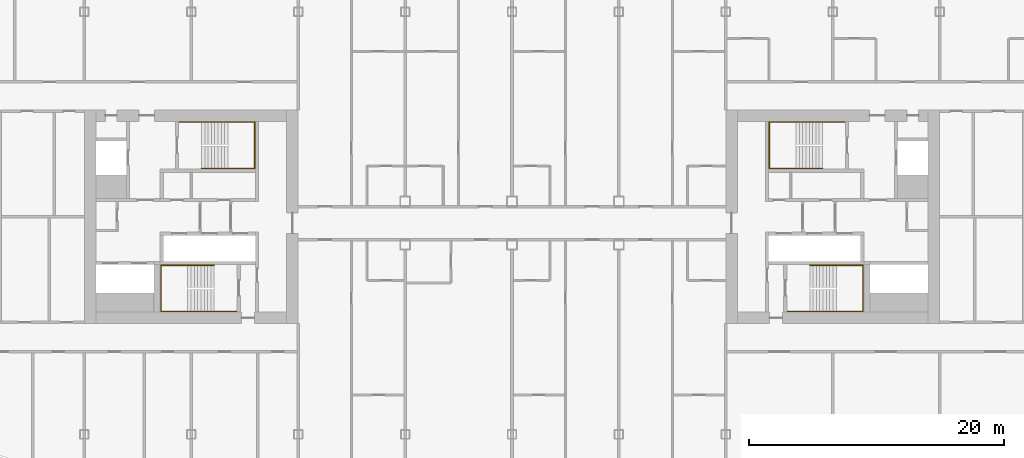
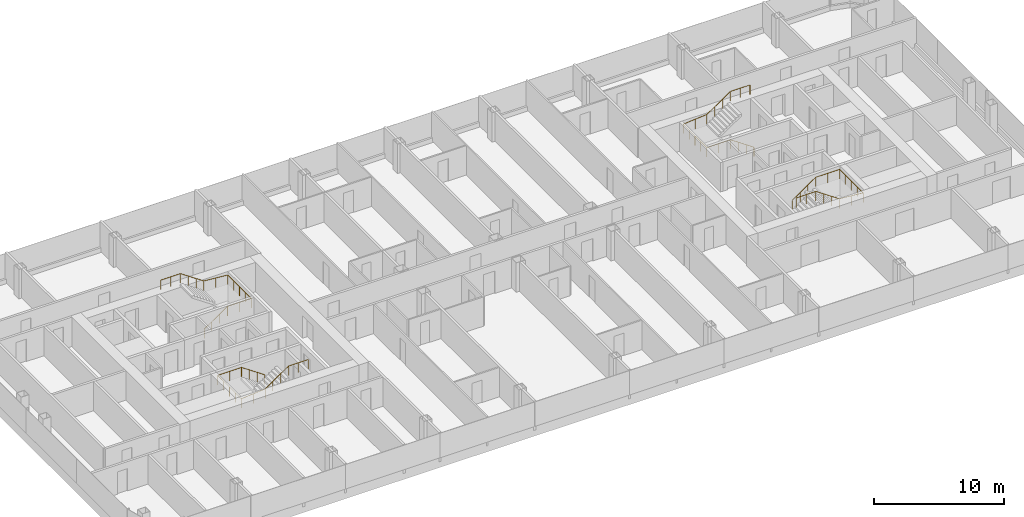
# One storey, part 26 of 26: 4 railings.
"""IFC4 building model written with IfcOpenShell, lengths in metres."""

from ifc_helpers import new_model, si_unit, direction, frame, origin, origin_2d, place, context, subcontext, project, spatial, circle, extrude, material, type_object, element, save


model = new_model("IFC4")

# Units and contexts
model_context = context("Model", 3, precision=1e-05, world=origin(), true_north=direction((0.0, 1.0)))
body_context = subcontext(model_context, "Body", "Model", "MODEL_VIEW")
ifc_project = project(units=[si_unit("LENGTHUNIT", "METRE"), si_unit("AREAUNIT", "SQUARE_METRE"), si_unit("VOLUMEUNIT", "CUBIC_METRE"), si_unit("PLANEANGLEUNIT", "RADIAN"), si_unit("MASSUNIT", "GRAM", prefix="KILO")], contexts=[model_context])

# Site, building, storey
site_placement = place(None, origin())
site = spatial("IfcSite", under=ifc_project, at=site_placement, CompositionType="ELEMENT")
building_placement = place(site_placement, origin())
building = spatial("IfcBuilding", under=site, at=building_placement, Name="Hakoniwa Tower and Hamabe Station Hall", CompositionType="ELEMENT")
storey_placement = place(building_placement, frame((0.0, 0.0, 143.800048828125)))
storey = spatial("IfcBuildingStorey", under=building, at=storey_placement, Name="L40", CompositionType="ELEMENT", Elevation=143.800048828125)

# Railings
ifc_material = material(Name="Stainless steel SUS304", Category="steel")
railing_type = type_object("IfcRailingType", Name="STAIR HANDRAIL 900", PredefinedType="HANDRAIL", material=ifc_material)
railing_1_placement = place(storey_placement, frame((-24.39990234375, 3.81005859375, 0.177734375)))
element("IfcRailing", 1, at=railing_1_placement, inside=storey, type_object=railing_type, Name="Handrail ST-1 L40 1", PredefinedType="HANDRAIL", context=body_context, shape_type="SweptSolid", body=[
    extrude(circle(Radius=0.02392578125, at=origin_2d()), frame((0.0, 0.0, 0.8759765625), z_axis=(0.825478349766, 0.0, 0.564433781827), x_axis=(0.0, 1.0, 0.0)), (0.0, 0.0, 1.0), 2.51953125),
    extrude(circle(Radius=0.02392578125, at=origin_2d()), frame((2.079833984375, 0.0, 2.2978515625), z_axis=(1.0, 0.0, 0.0), x_axis=(0.0, 1.0, 0.0)), (0.0, 0.0, 1.0), 2.110107421875),
    extrude(circle(Radius=0.02392578125, at=origin_2d()), frame((4.18994140625, 0.0, 2.2978515625), z_axis=(0.0, 1.0, 0.0), x_axis=(-1.0, 0.0, 0.0)), (0.0, 0.0, 1.0), 3.6298828125),
    extrude(circle(Radius=0.02392578125, at=origin_2d()), frame((4.18994140625, 3.6298828125, 2.2978515625), z_axis=(-0.996461767938, 0.0, 0.084047278587), x_axis=(0.0, -1.0, 0.0)), (0.0, 0.0, 1.0), 2.11767578125),
    extrude(circle(Radius=0.02392578125, at=origin_2d()), frame((2.079833984375, 3.6298828125, 2.47607421875), z_axis=(-0.825478349766, 0.0, 0.564433781827), x_axis=(0.0, -1.0, 0.0)), (0.0, 0.0, 1.0), 2.51953125),
    extrude(circle(Radius=0.02392578125, at=origin_2d()), frame((0.0, 3.6298828125, 3.89794921875), z_axis=(-1.0, 0.0, 0.0), x_axis=(0.0, -1.0, 0.0)), (0.0, 0.0, 1.0), 1.739990234375),
    extrude(circle(Radius=0.02099609375, at=origin_2d()), origin(), (0.0, 0.0, 1.0), 0.851806640625),
    extrude(circle(Radius=0.02099609375, at=origin_2d()), frame((0.693359375, 0.0, 0.47412109375)), (0.0, 0.0, 1.0), 0.851806640625),
    extrude(circle(Radius=0.02099609375, at=origin_2d()), frame((1.386474609375, 0.0, 0.947998046875)), (0.0, 0.0, 1.0), 0.851806640625),
    extrude(circle(Radius=0.02099609375, at=origin_2d()), frame((2.079833984375, 0.0, 1.422119140625)), (0.0, 0.0, 1.0), 0.851806640625),
    extrude(circle(Radius=0.02099609375, at=origin_2d()), frame((3.134765625, 0.0, 1.422119140625)), (0.0, 0.0, 1.0), 0.851806640625),
    extrude(circle(Radius=0.02099609375, at=origin_2d()), frame((4.18994140625, 0.0, 1.422119140625)), (0.0, 0.0, 1.0), 0.851806640625),
    extrude(circle(Radius=0.02099609375, at=origin_2d()), frame((4.18994140625, 0.907470703125, 1.422119140625)), (0.0, 0.0, 1.0), 0.851806640625),
    extrude(circle(Radius=0.02099609375, at=origin_2d()), frame((4.18994140625, 1.81494140625, 1.422119140625)), (0.0, 0.0, 1.0), 0.851806640625),
    extrude(circle(Radius=0.02099609375, at=origin_2d()), frame((4.18994140625, 2.722412109375, 1.422119140625)), (0.0, 0.0, 1.0), 0.851806640625),
    extrude(circle(Radius=0.02099609375, at=origin_2d()), frame((4.18994140625, 3.6298828125, 1.422119140625)), (0.0, 0.0, 1.0), 0.851806640625),
    extrude(circle(Radius=0.02099609375, at=origin_2d()), frame((3.134765625, 3.6298828125, 1.51123046875)), (0.0, 0.0, 1.0), 0.851806640625),
    extrude(circle(Radius=0.02099609375, at=origin_2d()), frame((2.079833984375, 3.6298828125, 1.60009765625)), (0.0, 0.0, 1.0), 0.851806640625),
    extrude(circle(Radius=0.02099609375, at=origin_2d()), frame((1.386474609375, 3.6298828125, 2.07421875)), (0.0, 0.0, 1.0), 0.851806640625),
    extrude(circle(Radius=0.02099609375, at=origin_2d()), frame((0.693359375, 3.6298828125, 2.548095703125)), (0.0, 0.0, 1.0), 0.851806640625),
    extrude(circle(Radius=0.02099609375, at=origin_2d()), frame((0.0, 3.6298828125, 3.022216796875)), (0.0, 0.0, 1.0), 0.851806640625),
    extrude(circle(Radius=0.02099609375, at=origin_2d()), frame((-0.8701171875, 3.6298828125, 3.022216796875)), (0.0, 0.0, 1.0), 0.851806640625),
    extrude(circle(Radius=0.02099609375, at=origin_2d()), frame((-1.739990234375, 3.6298828125, 3.022216796875)), (0.0, 0.0, 1.0), 0.851806640625),
])
railing_2_placement = place(storey_placement, frame((-23.39990234375, -3.81005859375, 0.177734375)))
element("IfcRailing", 2, at=railing_2_placement, inside=storey, type_object=railing_type, Name="Handrail ST-2 L40 1", PredefinedType="HANDRAIL", context=body_context, shape_type="SweptSolid", body=[
    extrude(circle(Radius=0.02392578125, at=origin_2d()), frame((0.0, 0.0, 0.8759765625), z_axis=(-0.82550921652, 0.0, 0.564388636881), x_axis=(0.0, -1.0, 0.0)), (0.0, 0.0, 1.0), 2.519775390625),
    extrude(circle(Radius=0.02392578125, at=origin_2d()), frame((-2.080078125, 0.0, 2.2978515625), z_axis=(-1.0, 0.0, 0.0), x_axis=(0.0, -1.0, 0.0)), (0.0, 0.0, 1.0), 2.110107421875),
    extrude(circle(Radius=0.02392578125, at=origin_2d()), frame((-4.190185546875, 0.0, 2.2978515625), z_axis=(0.0, -1.0, 0.0), x_axis=(1.0, 0.0, 0.0)), (0.0, 0.0, 1.0), 3.6298828125),
    extrude(circle(Radius=0.02392578125, at=origin_2d()), frame((-4.190185546875, -3.6298828125, 2.2978515625), z_axis=(0.996461767938, 0.0, 0.084047278587), x_axis=(0.0, 1.0, 0.0)), (0.0, 0.0, 1.0), 2.11767578125),
    extrude(circle(Radius=0.02392578125, at=origin_2d()), frame((-2.080078125, -3.6298828125, 2.47607421875), z_axis=(0.82550921652, 0.0, 0.564388636881), x_axis=(0.0, 1.0, 0.0)), (0.0, 0.0, 1.0), 2.519775390625),
    extrude(circle(Radius=0.02392578125, at=origin_2d()), frame((0.0, -3.6298828125, 3.89794921875), z_axis=(1.0, 0.0, 0.0), x_axis=(0.0, 1.0, 0.0)), (0.0, 0.0, 1.0), 1.739990234375),
    extrude(circle(Radius=0.02099609375, at=origin_2d()), origin(), (0.0, 0.0, 1.0), 0.851806640625),
    extrude(circle(Radius=0.02099609375, at=origin_2d()), frame((-0.693359375, 0.0, 0.47412109375)), (0.0, 0.0, 1.0), 0.851806640625),
    extrude(circle(Radius=0.02099609375, at=origin_2d()), frame((-1.38671875, 0.0, 0.947998046875)), (0.0, 0.0, 1.0), 0.851806640625),
    extrude(circle(Radius=0.02099609375, at=origin_2d()), frame((-2.080078125, 0.0, 1.422119140625)), (0.0, 0.0, 1.0), 0.851806640625),
    extrude(circle(Radius=0.02099609375, at=origin_2d()), frame((-3.13525390625, 0.0, 1.422119140625)), (0.0, 0.0, 1.0), 0.851806640625),
    extrude(circle(Radius=0.02099609375, at=origin_2d()), frame((-4.190185546875, 0.0, 1.422119140625)), (0.0, 0.0, 1.0), 0.851806640625),
    extrude(circle(Radius=0.02099609375, at=origin_2d()), frame((-4.190185546875, -0.907470703125, 1.422119140625)), (0.0, 0.0, 1.0), 0.851806640625),
    extrude(circle(Radius=0.02099609375, at=origin_2d()), frame((-4.190185546875, -1.81494140625, 1.422119140625)), (0.0, 0.0, 1.0), 0.851806640625),
    extrude(circle(Radius=0.02099609375, at=origin_2d()), frame((-4.190185546875, -2.722412109375, 1.422119140625)), (0.0, 0.0, 1.0), 0.851806640625),
    extrude(circle(Radius=0.02099609375, at=origin_2d()), frame((-4.190185546875, -3.6298828125, 1.422119140625)), (0.0, 0.0, 1.0), 0.851806640625),
    extrude(circle(Radius=0.02099609375, at=origin_2d()), frame((-3.13525390625, -3.6298828125, 1.51123046875)), (0.0, 0.0, 1.0), 0.851806640625),
    extrude(circle(Radius=0.02099609375, at=origin_2d()), frame((-2.080078125, -3.6298828125, 1.60009765625)), (0.0, 0.0, 1.0), 0.851806640625),
    extrude(circle(Radius=0.02099609375, at=origin_2d()), frame((-1.38671875, -3.6298828125, 2.07421875)), (0.0, 0.0, 1.0), 0.851806640625),
    extrude(circle(Radius=0.02099609375, at=origin_2d()), frame((-0.693359375, -3.6298828125, 2.548095703125)), (0.0, 0.0, 1.0), 0.851806640625),
    extrude(circle(Radius=0.02099609375, at=origin_2d()), frame((0.0, -3.6298828125, 3.022216796875)), (0.0, 0.0, 1.0), 0.851806640625),
    extrude(circle(Radius=0.02099609375, at=origin_2d()), frame((0.8701171875, -3.6298828125, 3.022216796875)), (0.0, 0.0, 1.0), 0.851806640625),
    extrude(circle(Radius=0.02099609375, at=origin_2d()), frame((1.739990234375, -3.6298828125, 3.022216796875)), (0.0, 0.0, 1.0), 0.851806640625),
])
railing_3_placement = place(storey_placement, frame((24.39990234375, 3.81005859375, 0.177734375)))
element("IfcRailing", 3, at=railing_3_placement, inside=storey, type_object=railing_type, Name="Handrail ST-3 L40 1", PredefinedType="HANDRAIL", context=body_context, shape_type="SweptSolid", body=[
    extrude(circle(Radius=0.02392578125, at=origin_2d()), frame((0.0, 0.0, 0.8759765625), z_axis=(-0.825478349766, 0.0, 0.564433781827), x_axis=(0.0, -1.0, 0.0)), (0.0, 0.0, 1.0), 2.51953125),
    extrude(circle(Radius=0.02392578125, at=origin_2d()), frame((-2.079833984375, 0.0, 2.2978515625), z_axis=(-1.0, 0.0, 0.0), x_axis=(0.0, -1.0, 0.0)), (0.0, 0.0, 1.0), 2.110107421875),
    extrude(circle(Radius=0.02392578125, at=origin_2d()), frame((-4.18994140625, 0.0, 2.2978515625), z_axis=(0.0, 1.0, 0.0), x_axis=(-1.0, 0.0, 0.0)), (0.0, 0.0, 1.0), 3.6298828125),
    extrude(circle(Radius=0.02392578125, at=origin_2d()), frame((-4.18994140625, 3.6298828125, 2.2978515625), z_axis=(0.996461767938, 0.0, 0.084047278587), x_axis=(0.0, 1.0, 0.0)), (0.0, 0.0, 1.0), 2.11767578125),
    extrude(circle(Radius=0.02392578125, at=origin_2d()), frame((-2.079833984375, 3.6298828125, 2.47607421875), z_axis=(0.825478349766, 0.0, 0.564433781827), x_axis=(0.0, 1.0, 0.0)), (0.0, 0.0, 1.0), 2.51953125),
    extrude(circle(Radius=0.02392578125, at=origin_2d()), frame((0.0, 3.6298828125, 3.89794921875), z_axis=(1.0, 0.0, 0.0), x_axis=(0.0, 1.0, 0.0)), (0.0, 0.0, 1.0), 1.739990234375),
    extrude(circle(Radius=0.02099609375, at=origin_2d()), origin(), (0.0, 0.0, 1.0), 0.851806640625),
    extrude(circle(Radius=0.02099609375, at=origin_2d()), frame((-0.693359375, 0.0, 0.47412109375)), (0.0, 0.0, 1.0), 0.851806640625),
    extrude(circle(Radius=0.02099609375, at=origin_2d()), frame((-1.386474609375, 0.0, 0.947998046875)), (0.0, 0.0, 1.0), 0.851806640625),
    extrude(circle(Radius=0.02099609375, at=origin_2d()), frame((-2.079833984375, 0.0, 1.422119140625)), (0.0, 0.0, 1.0), 0.851806640625),
    extrude(circle(Radius=0.02099609375, at=origin_2d()), frame((-3.134765625, 0.0, 1.422119140625)), (0.0, 0.0, 1.0), 0.851806640625),
    extrude(circle(Radius=0.02099609375, at=origin_2d()), frame((-4.18994140625, 0.0, 1.422119140625)), (0.0, 0.0, 1.0), 0.851806640625),
    extrude(circle(Radius=0.02099609375, at=origin_2d()), frame((-4.18994140625, 0.907470703125, 1.422119140625)), (0.0, 0.0, 1.0), 0.851806640625),
    extrude(circle(Radius=0.02099609375, at=origin_2d()), frame((-4.18994140625, 1.81494140625, 1.422119140625)), (0.0, 0.0, 1.0), 0.851806640625),
    extrude(circle(Radius=0.02099609375, at=origin_2d()), frame((-4.18994140625, 2.722412109375, 1.422119140625)), (0.0, 0.0, 1.0), 0.851806640625),
    extrude(circle(Radius=0.02099609375, at=origin_2d()), frame((-4.18994140625, 3.6298828125, 1.422119140625)), (0.0, 0.0, 1.0), 0.851806640625),
    extrude(circle(Radius=0.02099609375, at=origin_2d()), frame((-3.134765625, 3.6298828125, 1.51123046875)), (0.0, 0.0, 1.0), 0.851806640625),
    extrude(circle(Radius=0.02099609375, at=origin_2d()), frame((-2.079833984375, 3.6298828125, 1.60009765625)), (0.0, 0.0, 1.0), 0.851806640625),
    extrude(circle(Radius=0.02099609375, at=origin_2d()), frame((-1.386474609375, 3.6298828125, 2.07421875)), (0.0, 0.0, 1.0), 0.851806640625),
    extrude(circle(Radius=0.02099609375, at=origin_2d()), frame((-0.693359375, 3.6298828125, 2.548095703125)), (0.0, 0.0, 1.0), 0.851806640625),
    extrude(circle(Radius=0.02099609375, at=origin_2d()), frame((0.0, 3.6298828125, 3.022216796875)), (0.0, 0.0, 1.0), 0.851806640625),
    extrude(circle(Radius=0.02099609375, at=origin_2d()), frame((0.8701171875, 3.6298828125, 3.022216796875)), (0.0, 0.0, 1.0), 0.851806640625),
    extrude(circle(Radius=0.02099609375, at=origin_2d()), frame((1.739990234375, 3.6298828125, 3.022216796875)), (0.0, 0.0, 1.0), 0.851806640625),
])
railing_4_placement = place(storey_placement, frame((23.39990234375, -3.81005859375, 0.177734375)))
element("IfcRailing", 4, at=railing_4_placement, inside=storey, type_object=railing_type, Name="Handrail ST-4 L40 1", PredefinedType="HANDRAIL", context=body_context, shape_type="SweptSolid", body=[
    extrude(circle(Radius=0.02392578125, at=origin_2d()), frame((0.0, 0.0, 0.8759765625), z_axis=(0.82550921652, 0.0, 0.564388636881), x_axis=(0.0, 1.0, 0.0)), (0.0, 0.0, 1.0), 2.519775390625),
    extrude(circle(Radius=0.02392578125, at=origin_2d()), frame((2.080078125, 0.0, 2.2978515625), z_axis=(1.0, 0.0, 0.0), x_axis=(0.0, 1.0, 0.0)), (0.0, 0.0, 1.0), 2.110107421875),
    extrude(circle(Radius=0.02392578125, at=origin_2d()), frame((4.190185546875, 0.0, 2.2978515625), z_axis=(0.0, -1.0, 0.0), x_axis=(1.0, 0.0, 0.0)), (0.0, 0.0, 1.0), 3.6298828125),
    extrude(circle(Radius=0.02392578125, at=origin_2d()), frame((4.190185546875, -3.6298828125, 2.2978515625), z_axis=(-0.996461767938, 0.0, 0.084047278587), x_axis=(0.0, -1.0, 0.0)), (0.0, 0.0, 1.0), 2.11767578125),
    extrude(circle(Radius=0.02392578125, at=origin_2d()), frame((2.080078125, -3.6298828125, 2.47607421875), z_axis=(-0.82550921652, 0.0, 0.564388636881), x_axis=(0.0, -1.0, 0.0)), (0.0, 0.0, 1.0), 2.519775390625),
    extrude(circle(Radius=0.02392578125, at=origin_2d()), frame((0.0, -3.6298828125, 3.89794921875), z_axis=(-1.0, 0.0, 0.0), x_axis=(0.0, -1.0, 0.0)), (0.0, 0.0, 1.0), 1.739990234375),
    extrude(circle(Radius=0.02099609375, at=origin_2d()), origin(), (0.0, 0.0, 1.0), 0.851806640625),
    extrude(circle(Radius=0.02099609375, at=origin_2d()), frame((0.693359375, 0.0, 0.47412109375)), (0.0, 0.0, 1.0), 0.851806640625),
    extrude(circle(Radius=0.02099609375, at=origin_2d()), frame((1.38671875, 0.0, 0.947998046875)), (0.0, 0.0, 1.0), 0.851806640625),
    extrude(circle(Radius=0.02099609375, at=origin_2d()), frame((2.080078125, 0.0, 1.422119140625)), (0.0, 0.0, 1.0), 0.851806640625),
    extrude(circle(Radius=0.02099609375, at=origin_2d()), frame((3.13525390625, 0.0, 1.422119140625)), (0.0, 0.0, 1.0), 0.851806640625),
    extrude(circle(Radius=0.02099609375, at=origin_2d()), frame((4.190185546875, 0.0, 1.422119140625)), (0.0, 0.0, 1.0), 0.851806640625),
    extrude(circle(Radius=0.02099609375, at=origin_2d()), frame((4.190185546875, -0.907470703125, 1.422119140625)), (0.0, 0.0, 1.0), 0.851806640625),
    extrude(circle(Radius=0.02099609375, at=origin_2d()), frame((4.190185546875, -1.81494140625, 1.422119140625)), (0.0, 0.0, 1.0), 0.851806640625),
    extrude(circle(Radius=0.02099609375, at=origin_2d()), frame((4.190185546875, -2.722412109375, 1.422119140625)), (0.0, 0.0, 1.0), 0.851806640625),
    extrude(circle(Radius=0.02099609375, at=origin_2d()), frame((4.190185546875, -3.6298828125, 1.422119140625)), (0.0, 0.0, 1.0), 0.851806640625),
    extrude(circle(Radius=0.02099609375, at=origin_2d()), frame((3.13525390625, -3.6298828125, 1.51123046875)), (0.0, 0.0, 1.0), 0.851806640625),
    extrude(circle(Radius=0.02099609375, at=origin_2d()), frame((2.080078125, -3.6298828125, 1.60009765625)), (0.0, 0.0, 1.0), 0.851806640625),
    extrude(circle(Radius=0.02099609375, at=origin_2d()), frame((1.38671875, -3.6298828125, 2.07421875)), (0.0, 0.0, 1.0), 0.851806640625),
    extrude(circle(Radius=0.02099609375, at=origin_2d()), frame((0.693359375, -3.6298828125, 2.548095703125)), (0.0, 0.0, 1.0), 0.851806640625),
    extrude(circle(Radius=0.02099609375, at=origin_2d()), frame((0.0, -3.6298828125, 3.022216796875)), (0.0, 0.0, 1.0), 0.851806640625),
    extrude(circle(Radius=0.02099609375, at=origin_2d()), frame((-0.8701171875, -3.6298828125, 3.022216796875)), (0.0, 0.0, 1.0), 0.851806640625),
    extrude(circle(Radius=0.02099609375, at=origin_2d()), frame((-1.739990234375, -3.6298828125, 3.022216796875)), (0.0, 0.0, 1.0), 0.851806640625),
])

save(model, "model.ifc")
